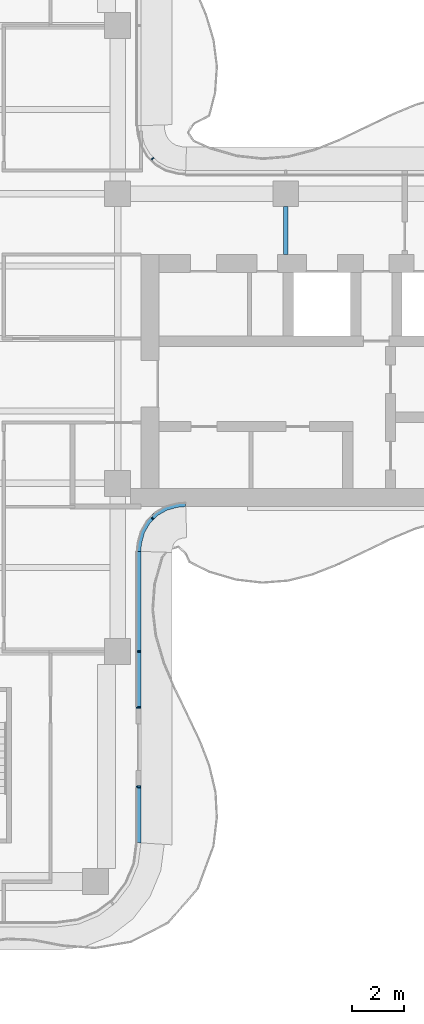
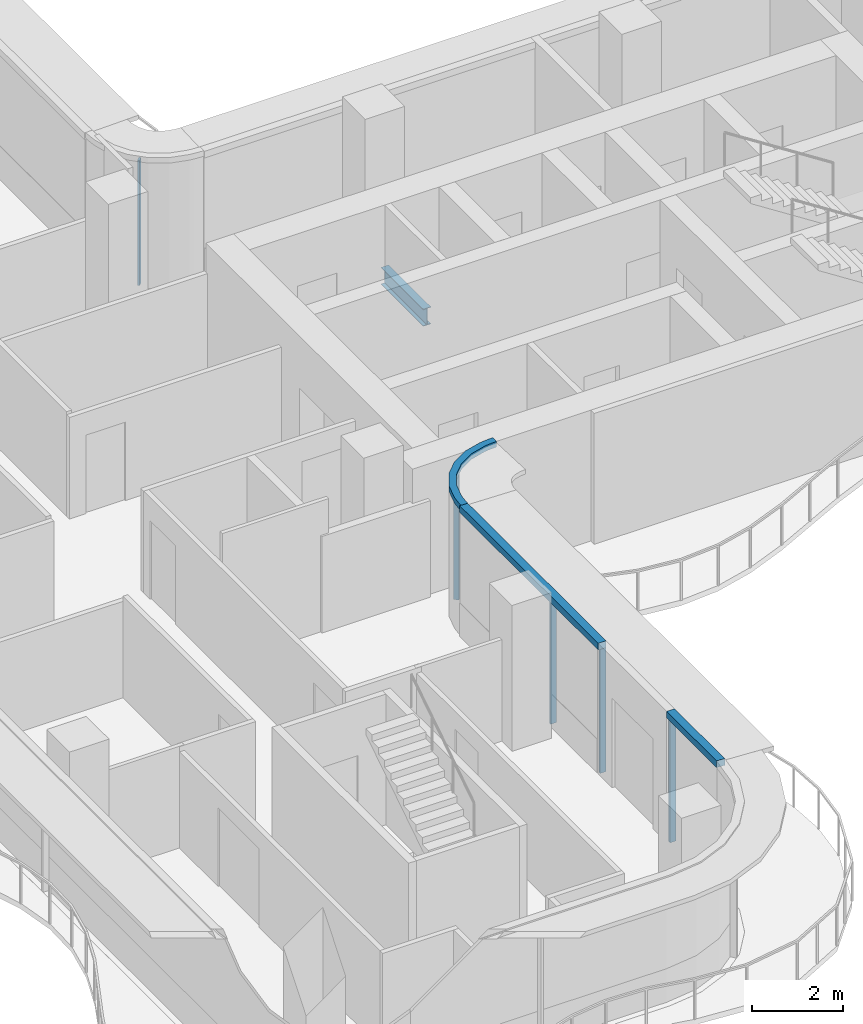
# One storey, part 5 of 15: 8 members, 1 beam, 4 elements without a shape of their own.
"""IFC4 building model written with IfcOpenShell, lengths in metres."""

from ifc_helpers import new_model, si_unit, direction, frame, origin, origin_2d, place, context, subcontext, project, spatial, polyline, rectangle, i_section, outline, extrude, source, transform, mapped, material, layer, layer_set, material_profile, profile_set, type_object, element, aggregate, save


model = new_model("IFC4")

# Units and contexts
model_context = context("Model", 3, precision=1e-05, world=origin(), true_north=direction((0.0, 1.0)))
body_context = subcontext(model_context, "Body", "Model", "MODEL_VIEW")
ifc_project = project(units=[si_unit("LENGTHUNIT", "METRE"), si_unit("AREAUNIT", "SQUARE_METRE"), si_unit("VOLUMEUNIT", "CUBIC_METRE"), si_unit("PLANEANGLEUNIT", "RADIAN"), si_unit("MASSUNIT", "GRAM", prefix="KILO")], contexts=[model_context])

# Site, building, storey
site_placement = place(None, origin())
site = spatial("IfcSite", under=ifc_project, at=site_placement, CompositionType="ELEMENT")
building_placement = place(site_placement, origin())
building = spatial("IfcBuilding", under=site, at=building_placement, Name="Trellis Farm Tower", CompositionType="ELEMENT")
storey_placement = place(building_placement, frame((0.0, 0.0, 326.199951171875)))
storey = spatial("IfcBuildingStorey", under=building, at=storey_placement, Name="L74", CompositionType="ELEMENT", Elevation=326.199951171875)

# Beam
ifc_material_1 = material(Name="Steel S355", Category="steel")
ifc_material_profile_1 = material_profile(ifc_material_1, i_section(OverallWidth=0.1904296875, OverallDepth=0.45703125, WebThickness=0.009033203125, FlangeThickness=0.014404296875, FilletRadius=0.01025390625, at=origin_2d()), Name="UB 457x191x74")
ifc_profile_set_1 = profile_set([ifc_material_profile_1], Name="Steel S355")
beam_type = type_object("IfcBeamType", Name="UB 457x191x74", PredefinedType="BEAM", material=ifc_profile_set_1)
shared_shape_1 = source(origin(), body_context, "Body", "SweptSolid", [
    extrude(i_section(OverallWidth=0.1904296875, OverallDepth=0.45703125, WebThickness=0.009033203125, FlangeThickness=0.014404296875, FilletRadius=0.01025390625, at=origin_2d()), origin(), (0.0, 0.0, 1.0), 1.85009765625),
])
beam_placement = place(storey_placement, frame((12.10009765625, 3.25, -0.428466796875), z_axis=(0.0, 1.0, 0.0), x_axis=(-1.0, 0.0, 0.0)))
element("IfcBeam", 1, at=beam_placement, inside=storey, type_object=beam_type, Name="Girder", PredefinedType="BEAM", context=body_context, shape_type="MappedRepresentation", body=[
    mapped(shared_shape_1, transform((0.0, 0.0, 0.0))),
])

# Curtain wall, member
ifc_material_2 = material(Name="Aluminium and glass curtain wall", Category="aluminium")
ifc_layer_1 = layer(ifc_material_2, 0.166015625)
ifc_layer_set_1 = layer_set([ifc_layer_1], Name="WINTER GARDEN CURTAIN WALL CW3")
curtain_wall_type_1 = type_object("IfcCurtainWallType", Name="WINTER GARDEN CURTAIN WALL CW3", PredefinedType="NOTDEFINED", material=ifc_layer_set_1)
placement_1 = place(storey_placement, origin())
curtain_wall_1 = element("IfcCurtainWall", 2, at=placement_1, inside=storey, type_object=curtain_wall_type_1, Name="CW3 002", PredefinedType="NOTDEFINED")
ifc_material_3 = material(Name="Aluminium extrusion 6063-T6", Category="aluminium")
ifc_layer_2 = layer(ifc_material_3, 0.169921875)
ifc_layer_set_2 = layer_set([ifc_layer_2], Name="Aluminium extrusion 6063-T6")
member_type_1 = type_object("IfcMemberType", Name="CW3 TRANSOM 170x150", PredefinedType="USERDEFINED", material=ifc_layer_set_2)
shared_shape_2 = source(origin(), body_context, "Body", "SweptSolid", [
    extrude(outline(polyline([(6.5, -8.2314453125), (6.513916015625, -8.01953125), (6.527587890625, -7.91552734375), (6.63671875, -7.508544921875), (6.846923828125, -7.144287109375), (7.144287109375, -6.846923828125), (7.508544921875, -6.63671875), (7.91552734375, -6.527587890625), (8.01953125, -6.513916015625), (8.2314453125, -6.5), (8.225830078125, -6.330078125), (8.0029296875, -6.3447265625), (7.88232421875, -6.360595703125), (7.44287109375, -6.478271484375), (7.0400390625, -6.7109375), (6.7109375, -7.0400390625), (6.478271484375, -7.44287109375), (6.360595703125, -7.88232421875), (6.3447265625, -8.0029296875), (6.330078125, -8.225830078125), (6.5, -8.2314453125)])), origin(), (0.0, 0.0, 1.0), 0.14990234375),
])
member_1_placement = place(storey_placement, frame((0.0, 0.0, 3.35009765625)))
member_1 = element("IfcMember", 3, at=member_1_placement, type_object=member_type_1, Name="TR3 002", ObjectType="TRANSOM", PredefinedType="USERDEFINED", context=body_context, shape_type="MappedRepresentation", body=[
    mapped(shared_shape_2, transform((0.0, 0.0, 0.0))),
])

ifc_layer_3 = layer(ifc_material_2, 0.18994140625)
ifc_layer_set_3 = layer_set([ifc_layer_3], Name="RIBBON CURTAIN WALL CW1")
curtain_wall_type_2 = type_object("IfcCurtainWallType", Name="RIBBON CURTAIN WALL CW1", PredefinedType="NOTDEFINED", material=ifc_layer_set_3)
curtain_wall_2 = element("IfcCurtainWall", 4, at=placement_1, inside=storey, type_object=curtain_wall_type_2, Name="CW1 004", PredefinedType="NOTDEFINED")
ifc_layer_4 = layer(ifc_material_3, 0.199951171875)
ifc_layer_set_4 = layer_set([ifc_layer_4], Name="Aluminium extrusion 6063-T6")
member_type_2 = type_object("IfcMemberType", Name="CW1 TRANSOM 200x180", PredefinedType="USERDEFINED", material=ifc_layer_set_4)
shared_shape_3 = source(origin(), body_context, "Body", "SweptSolid", [
    extrude(outline(polyline([(6.5, -19.5), (6.5, -17.300048828125), (6.300048828125, -17.300048828125), (6.300048828125, -19.48681640625), (6.5, -19.5)])), origin(), (0.0, 0.0, 1.0), 0.179931640625),
])
placement_2 = place(storey_placement, frame((0.0, 0.0, 3.320068359375)))
member_2 = element("IfcMember", 5, at=placement_2, type_object=member_type_2, Name="TR1 004", ObjectType="TRANSOM", PredefinedType="USERDEFINED", context=body_context, shape_type="MappedRepresentation", body=[
    mapped(shared_shape_3, transform((0.0, 0.0, 0.0))),
])

curtain_wall_3 = element("IfcCurtainWall", 6, at=placement_1, inside=storey, type_object=curtain_wall_type_2, Name="CW1 005", PredefinedType="NOTDEFINED")
shared_shape_4 = source(origin(), body_context, "Body", "SweptSolid", [
    extrude(outline(polyline([(6.5, -14.300048828125), (6.5, -8.2314453125), (6.300048828125, -8.224853515625), (6.300048828125, -14.300048828125), (6.5, -14.300048828125)])), origin(), (0.0, 0.0, 1.0), 0.179931640625),
])
member_3 = element("IfcMember", 7, at=placement_2, type_object=member_type_2, Name="TR1 005", ObjectType="TRANSOM", PredefinedType="USERDEFINED", context=body_context, shape_type="MappedRepresentation", body=[
    mapped(shared_shape_4, transform((0.0, 0.0, 0.0))),
])

# Member
ifc_material_profile_2 = material_profile(ifc_material_3, rectangle(XDim=0.06005859375, YDim=0.14990234375, at=origin_2d()), Name="MULLION 60x150")
ifc_profile_set_2 = profile_set([ifc_material_profile_2], Name="Aluminium extrusion 6063-T6")
member_type_3 = type_object("IfcMemberType", Name="CW1 MULLION 60x150", PredefinedType="MULLION", material=ifc_profile_set_2)
shared_shape_5 = source(origin(), body_context, "Body", "SweptSolid", [
    extrude(rectangle(XDim=0.06005859375, YDim=0.14990234375, at=origin_2d()), origin(), (0.0, 0.0, 1.0), 3.320068359375),
])
member_4_placement = place(storey_placement, frame((6.425048828125, -17.330078125, 0.0), z_axis=(0.0, 0.0, 1.0), x_axis=(0.0, 1.0, 0.0)))
member_4 = element("IfcMember", 8, at=member_4_placement, type_object=member_type_3, Name="MU1 004-01", PredefinedType="MULLION", context=body_context, shape_type="MappedRepresentation", body=[
    mapped(shared_shape_5, transform((0.0, 0.0, 0.0))),
])

aggregate(curtain_wall_2, [member_4, member_2])

member_5_placement = place(storey_placement, frame((6.425048828125, -14.27001953125, 0.0), z_axis=(0.0, 0.0, 1.0), x_axis=(0.0, 1.0, 0.0)))
member_5 = element("IfcMember", 9, at=member_5_placement, type_object=member_type_3, Name="MU1 005-01", PredefinedType="MULLION", context=body_context, shape_type="MappedRepresentation", body=[
    mapped(shared_shape_5, transform((0.0, 0.0, 0.0))),
])

member_6_placement = place(storey_placement, frame((6.425048828125, -12.10009765625, 0.0), z_axis=(0.0, 0.0, 1.0), x_axis=(0.0, 1.0, 0.0)))
member_6 = element("IfcMember", 10, at=member_6_placement, type_object=member_type_3, Name="MU1 005-02", PredefinedType="MULLION", context=body_context, shape_type="MappedRepresentation", body=[
    mapped(shared_shape_5, transform((0.0, 0.0, 0.0))),
])

aggregate(curtain_wall_3, [member_5, member_6, member_3])

ifc_material_profile_3 = material_profile(ifc_material_3, rectangle(XDim=0.050048828125, YDim=0.1201171875, at=origin_2d()), Name="MULLION 50x120")
ifc_profile_set_3 = profile_set([ifc_material_profile_3], Name="Aluminium extrusion 6063-T6")
member_type_4 = type_object("IfcMemberType", Name="CW3 MULLION 50x120", PredefinedType="MULLION", material=ifc_profile_set_3)
shared_shape_6 = source(origin(), body_context, "Body", "SweptSolid", [
    extrude(rectangle(XDim=0.050048828125, YDim=0.1201171875, at=origin_2d()), origin(), (0.0, 0.0, 1.0), 3.35009765625),
])
member_7_placement = place(storey_placement, frame((6.953125, -6.953125, 0.0), z_axis=(0.0, 0.0, 1.0), x_axis=(0.707106781187, 0.707106781187, 0.0)))
member_7 = element("IfcMember", 11, at=member_7_placement, type_object=member_type_4, Name="MU3 002-01", PredefinedType="MULLION", context=body_context, shape_type="MappedRepresentation", body=[
    mapped(shared_shape_6, transform((0.0, 0.0, 0.0))),
])

aggregate(curtain_wall_1, [member_7, member_1])

# Curtain wall, member
curtain_wall_4 = element("IfcCurtainWall", 12, at=placement_1, inside=storey, type_object=curtain_wall_type_1, Name="CW3 003", PredefinedType="NOTDEFINED")
member_8_placement = place(storey_placement, frame((6.953125, 6.953125, 0.0), z_axis=(0.0, 0.0, 1.0), x_axis=(-0.707106781187, 0.707106781187, 0.0)))
member_8 = element("IfcMember", 13, at=member_8_placement, type_object=member_type_4, Name="MU3 003-01", PredefinedType="MULLION", context=body_context, shape_type="MappedRepresentation", body=[
    mapped(shared_shape_6, transform((0.0, 0.0, 0.0))),
])
aggregate(curtain_wall_4, [member_8])

save(model, "model.ifc")
